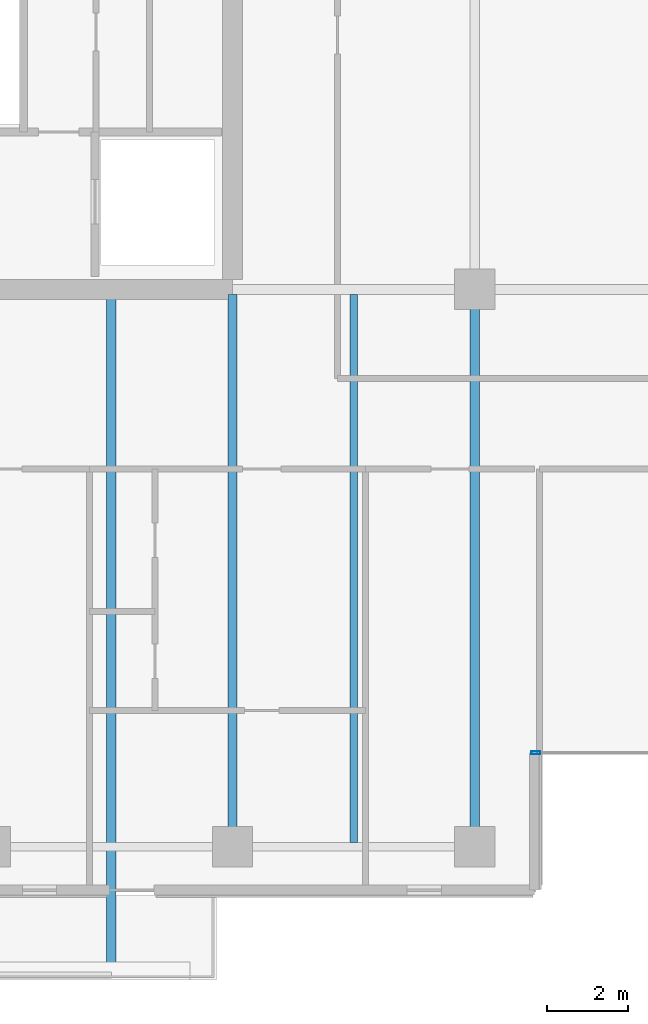
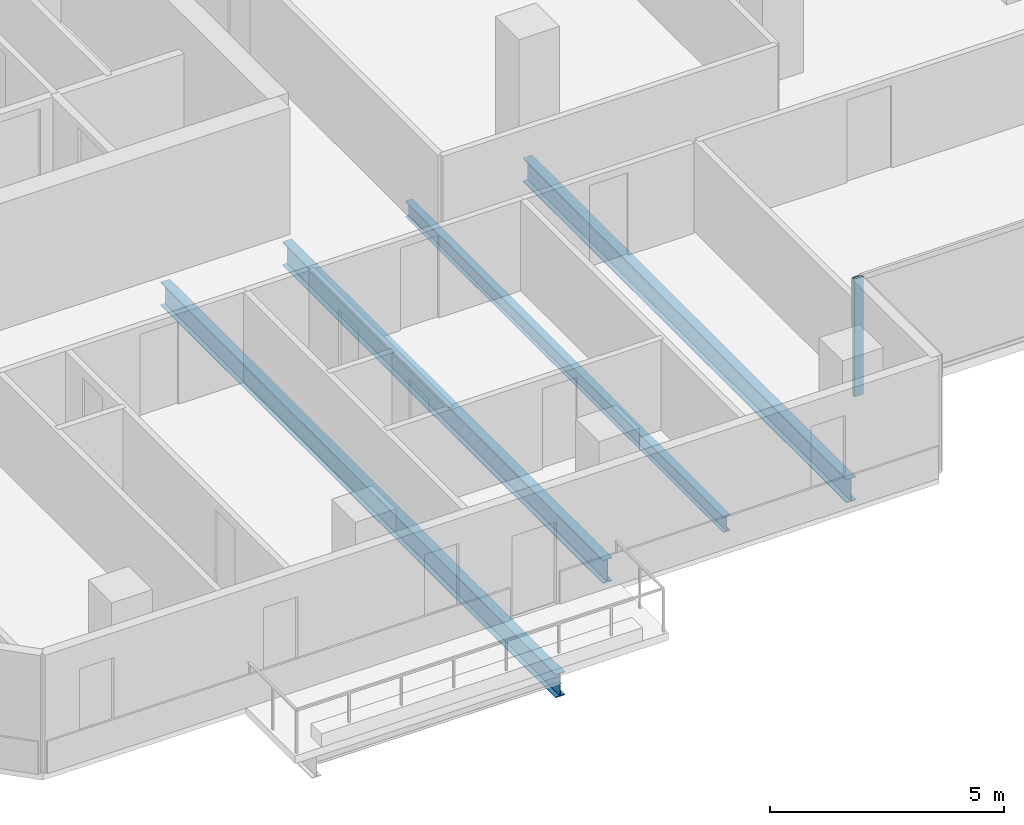
# One storey, part 2 of 23: 4 beams, 1 member, 1 element without a shape of its own.
"""IFC4 building model written with IfcOpenShell, lengths in metres."""

from ifc_helpers import new_model, si_unit, direction, frame, origin, origin_2d, place, context, subcontext, project, spatial, hollow_rectangle, i_section, extrude, material, layer, layer_set, material_profile, profile_set, type_object, element, aggregate, save


model = new_model("IFC4")

# Units and contexts
model_context = context("Model", 3, precision=1e-05, world=origin(), true_north=direction((0.0, 1.0)))
body_context = subcontext(model_context, "Body", "Model", "MODEL_VIEW")
ifc_project = project(units=[si_unit("LENGTHUNIT", "METRE"), si_unit("AREAUNIT", "SQUARE_METRE"), si_unit("VOLUMEUNIT", "CUBIC_METRE"), si_unit("PLANEANGLEUNIT", "RADIAN"), si_unit("MASSUNIT", "GRAM", prefix="KILO")], contexts=[model_context])

# Site, building, storey
site_placement = place(None, origin())
site = spatial("IfcSite", under=ifc_project, at=site_placement, CompositionType="ELEMENT")
building_placement = place(site_placement, origin())
building = spatial("IfcBuilding", under=site, at=building_placement, Name="Tanjung Sevakor Pilgrim Tower", CompositionType="ELEMENT")
storey_placement = place(building_placement, frame((0.0, 0.0, 82.169921875)))
storey = spatial("IfcBuildingStorey", under=building, at=storey_placement, Name="L22", CompositionType="ELEMENT", Elevation=82.169921875)

# Beams
ifc_material_1 = material(Name="Steel S355J2", Category="steel")
ifc_material_profile_1 = material_profile(ifc_material_1, i_section(OverallWidth=0.230224609375, OverallDepth=0.6171875, WebThickness=0.01318359375, FlangeThickness=0.022216796875, FilletRadius=0.0126953125, at=origin_2d()))
ifc_profile_set_1 = profile_set([ifc_material_profile_1], Name="Steel S355J2")
beam_type_1 = type_object("IfcBeamType", Name="BM-B-G3-UB_610x229x140", PredefinedType="BEAM", material=ifc_profile_set_1)
beam_1_placement = place(storey_placement, frame((36.0, 10.800048828125, -0.528564453125), z_axis=(0.0, 1.0, 0.0), x_axis=(-1.0, 0.0, 0.0)))
element("IfcBeam", 1, at=beam_1_placement, inside=storey, type_object=beam_type_1, Name="L22 MAIN Girder 005", PredefinedType="BEAM", context=body_context, shape_type="SweptSolid", body=[
    extrude(i_section(OverallWidth=0.230224609375, OverallDepth=0.6171875, WebThickness=0.01318359375, FlangeThickness=0.022216796875, FilletRadius=0.0126953125, at=origin_2d()), origin(), (0.0, 0.0, 1.0), 13.672607421875),
])
beam_2_placement = place(storey_placement, frame((42.0, 10.800048828125, -0.528564453125), z_axis=(0.0, 1.0, 0.0), x_axis=(-1.0, 0.0, 0.0)))
element("IfcBeam", 2, at=beam_2_placement, inside=storey, type_object=beam_type_1, Name="L22 MAIN Girder 009", PredefinedType="BEAM", context=body_context, shape_type="SweptSolid", body=[
    extrude(i_section(OverallWidth=0.230224609375, OverallDepth=0.6171875, WebThickness=0.01318359375, FlangeThickness=0.022216796875, FilletRadius=0.0126953125, at=origin_2d()), origin(), (0.0, 0.0, 1.0), 13.800048828125),
])
ifc_material_2 = material(Name="Steel S355J2", Category="steel")
ifc_material_profile_2 = material_profile(ifc_material_2, i_section(OverallWidth=0.22900390625, OverallDepth=0.6123046875, WebThickness=0.011962890625, FlangeThickness=0.01953125, FilletRadius=0.0126953125, at=origin_2d()))
ifc_profile_set_2 = profile_set([ifc_material_profile_2], Name="Steel S355J2")
beam_type_2 = type_object("IfcBeamType", Name="BM-B-G4-UB_610x229x125", PredefinedType="BEAM", material=ifc_profile_set_2)
beam_3_placement = place(storey_placement, frame((33.0, 24.47265625, -0.526123046875), z_axis=(0.0, -1.0, 0.0), x_axis=(1.0, 0.0, 0.0)))
element("IfcBeam", 3, at=beam_3_placement, inside=storey, type_object=beam_type_2, Name="L22 Balcony Cantilever Beam MAIN-S1-2", PredefinedType="BEAM", context=body_context, shape_type="SweptSolid", body=[
    extrude(i_section(OverallWidth=0.22900390625, OverallDepth=0.6123046875, WebThickness=0.011962890625, FlangeThickness=0.01953125, FilletRadius=0.0126953125, at=origin_2d()), origin(), (0.0, 0.0, 1.0), 16.8525390625),
])
ifc_material_3 = material(Name="Steel S355J2", Category="steel")
ifc_material_profile_3 = material_profile(ifc_material_3, i_section(OverallWidth=0.1787109375, OverallDepth=0.409423828125, WebThickness=0.0087890625, FlangeThickness=0.014404296875, FilletRadius=0.01025390625, at=origin_2d()))
ifc_profile_set_3 = profile_set([ifc_material_profile_3], Name="Steel S355J2")
beam_type_3 = type_object("IfcBeamType", Name="BM-B-J3-UB_406x178x67", PredefinedType="JOIST", material=ifc_profile_set_3)
beam_4_placement = place(storey_placement, frame((39.0, 10.89990234375, -0.424560546875), z_axis=(0.0, 1.0, 0.0), x_axis=(-1.0, 0.0, 0.0)))
element("IfcBeam", 4, at=beam_4_placement, inside=storey, type_object=beam_type_3, Name="L22 MAIN Joist 007", PredefinedType="JOIST", context=body_context, shape_type="SweptSolid", body=[
    extrude(i_section(OverallWidth=0.1787109375, OverallDepth=0.409423828125, WebThickness=0.0087890625, FlangeThickness=0.014404296875, FilletRadius=0.01025390625, at=origin_2d()), origin(), (0.0, 0.0, 1.0), 13.57275390625),
])

# Curtain wall, member
ifc_material_4 = material(Name="Aluminium 6063-T6 and Low-E Glass", Category="aluminium")
ifc_layer = layer(ifc_material_4, 0.179931640625)
ifc_layer_set = layer_set([ifc_layer], Name="CW-SYS-CLEFT")
curtain_wall_type = type_object("IfcCurtainWallType", Name="CW-SYS-CLEFT", PredefinedType="NOTDEFINED", material=ifc_layer_set)
curtain_wall_placement = place(storey_placement, origin())
curtain_wall = element("IfcCurtainWall", 5, at=curtain_wall_placement, inside=storey, type_object=curtain_wall_type, Name="L22 Curtain Wall CW-CLF-L22-2", PredefinedType="NOTDEFINED")
ifc_material_5 = material(Name="Aluminium 6063-T6", Category="aluminium")
ifc_material_profile_4 = material_profile(ifc_material_5, hollow_rectangle(XDim=0.074951171875, YDim=0.219970703125, WallThickness=0.0048828125, at=origin_2d()))
ifc_profile_set_4 = profile_set([ifc_material_profile_4], Name="Aluminium 6063-T6")
member_type = type_object("IfcMemberType", Name="TYPE-CWM-2", PredefinedType="MULLION", material=ifc_profile_set_4)
member_placement = place(storey_placement, frame((43.512451171875, 13.125, 0.0), z_axis=(0.0, 0.0, 1.0), x_axis=(0.0, 1.0, 0.0)))
member = element("IfcMember", 6, at=member_placement, type_object=member_type, Name="CW-CLF mullion 1", PredefinedType="MULLION", context=body_context, shape_type="SweptSolid", body=[
    extrude(hollow_rectangle(XDim=0.074951171875, YDim=0.219970703125, WallThickness=0.0048828125, at=origin_2d()), origin(), (0.0, 0.0, 1.0), 3.080078125),
])
aggregate(curtain_wall, [member])

save(model, "model.ifc")
